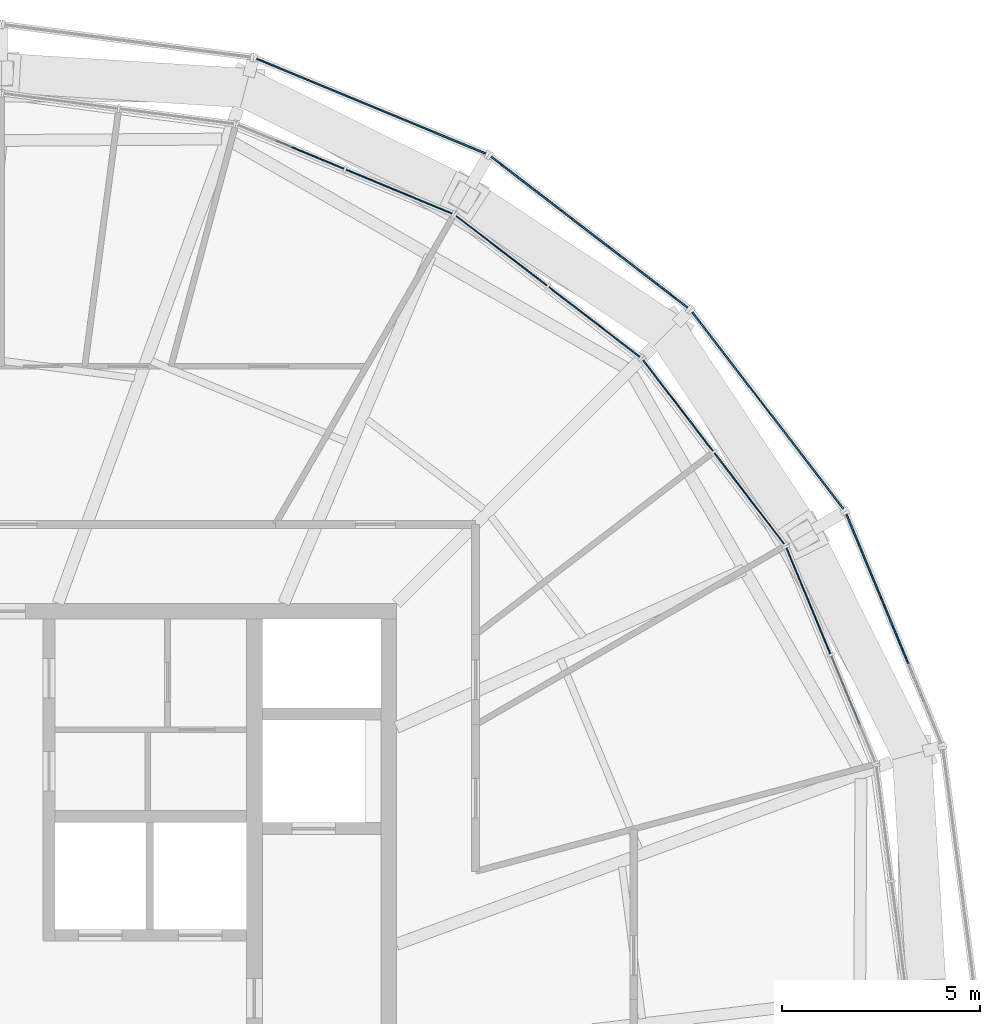
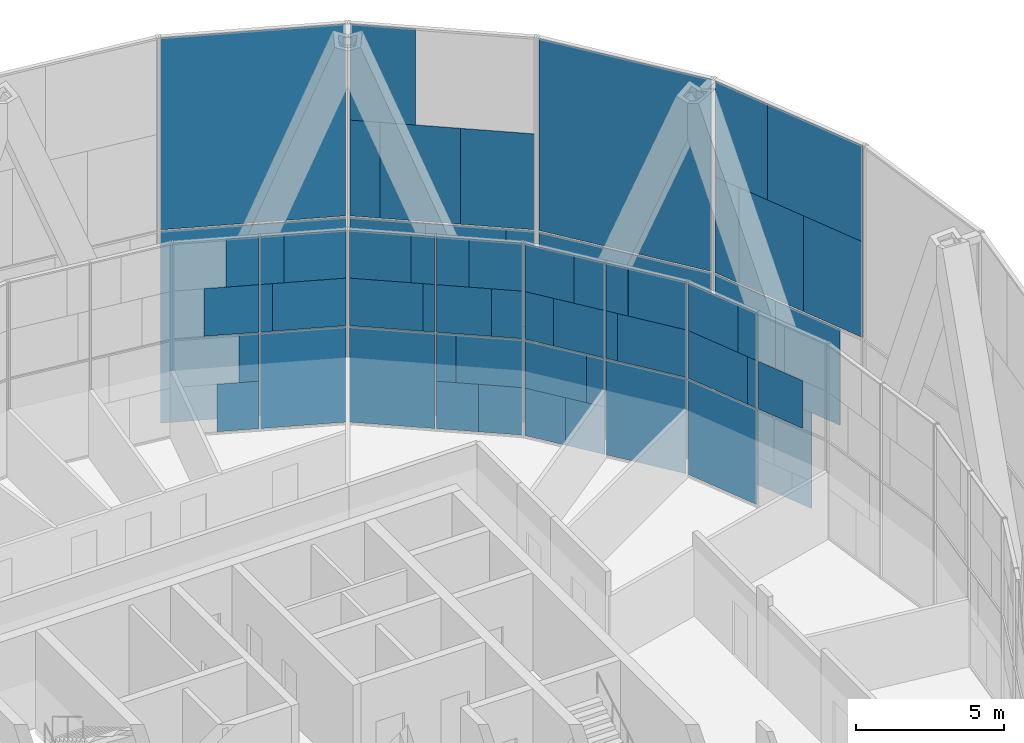
# One storey, part 18 of 23: 62 plates, 8 elements without a shape of their own.
"""IFC4 building model written with IfcOpenShell, lengths in metres."""

from ifc_helpers import new_model, si_unit, direction, frame, origin, origin_2d, place, context, subcontext, project, spatial, rectangle, extrude, material, layer, layer_set, type_object, element, aggregate, save


model = new_model("IFC4")

# Units and contexts
model_context = context("Model", 3, precision=1e-05, world=origin(), true_north=direction((0.0, 1.0)))
body_context = subcontext(model_context, "Body", "Model", "MODEL_VIEW")
ifc_project = project(units=[si_unit("LENGTHUNIT", "METRE"), si_unit("AREAUNIT", "SQUARE_METRE"), si_unit("VOLUMEUNIT", "CUBIC_METRE"), si_unit("PLANEANGLEUNIT", "RADIAN"), si_unit("MASSUNIT", "GRAM", prefix="KILO")], contexts=[model_context])

# Site, building, storey
site_placement = place(None, origin())
site = spatial("IfcSite", under=ifc_project, at=site_placement, CompositionType="ELEMENT")
building_placement = place(site_placement, origin())
building = spatial("IfcBuilding", under=site, at=building_placement, Name="Golbaran Civic Tower", CompositionType="ELEMENT")
storey_placement = place(building_placement, frame((0.0, 0.0, 232.0)))
storey = spatial("IfcBuildingStorey", under=building, at=storey_placement, Name="L56", CompositionType="ELEMENT", Elevation=232.0)

# Curtain wall, plates
ifc_material_1 = material(Name="Aluminium and glass", Category="aluminium")
curtain_wall_type_1 = type_object("IfcCurtainWallType", Name="INNER SKIN CURTAIN WALL EXECUTIVE", PredefinedType="NOTDEFINED", material=ifc_material_1)
curtain_wall_1_placement = place(storey_placement, origin())
curtain_wall_1 = element("IfcCurtainWall", 1, at=curtain_wall_1_placement, inside=storey, type_object=curtain_wall_type_1, Name="Inner skin L56 facet 2 CW2", ObjectType="INNER SKIN", PredefinedType="USERDEFINED")
ifc_material_2 = material(Name="Clear insulating glass", Category="glass")
ifc_layer_1 = layer(ifc_material_2, 0.031982421875, Name="Clear insulating glass")
ifc_layer_set_1 = layer_set([ifc_layer_1], Name="Clear insulating glass")
plate_type_1 = type_object("IfcPlateType", Name="INNER SKIN CURTAIN WALL EXECUTIVE GLAZED PANEL", PredefinedType="CURTAIN_PANEL", material=ifc_layer_set_1)
plate_1_placement = place(storey_placement, frame((20.421142578125, 10.06103515625, 0.06005859375), z_axis=(0.0, 0.0, 1.0), x_axis=(-0.382683432365, 0.923879532511, 0.0)))
plate_1 = element("IfcPlate", 2, at=plate_1_placement, type_object=plate_type_1, Name="CW2 panel 2.1", PredefinedType="CURTAIN_PANEL", context=body_context, shape_type="SweptSolid", body=[
    extrude(rectangle(XDim=2.900634765625, YDim=0.031982421875, at=origin_2d()), origin(), (0.0, 0.0, 1.0), 3.909912109375),
])
plate_2_placement = place(storey_placement, frame((20.3447265625, 10.245849609375, 4.030029296875), z_axis=(0.0, 0.0, 1.0), x_axis=(-0.382683432365, 0.923879532511, 0.0)))
plate_2 = element("IfcPlate", 3, at=plate_2_placement, type_object=plate_type_1, Name="CW2 panel 2.2 part 2", PredefinedType="CURTAIN_PANEL", context=body_context, shape_type="SweptSolid", body=[
    extrude(rectangle(XDim=2.500732421875, YDim=0.031982421875, at=origin_2d()), origin(), (0.0, 0.0, 1.0), 1.955078125),
])
plate_3_placement = place(storey_placement, frame((20.267822265625, 10.431640625, 5.98486328125), z_axis=(0.0, 0.0, 1.0), x_axis=(-0.382683432365, 0.923879532511, 0.0)))
plate_3 = element("IfcPlate", 4, at=plate_3_placement, type_object=plate_type_1, Name="CW2 panel 2.2 part 4", PredefinedType="CURTAIN_PANEL", context=body_context, shape_type="SweptSolid", body=[
    extrude(rectangle(XDim=2.0986328125, YDim=0.031982421875, at=origin_2d()), origin(), (0.0, 0.0, 1.0), 1.955078125),
])

curtain_wall_2_placement = place(storey_placement, origin())
curtain_wall_2 = element("IfcCurtainWall", 5, at=curtain_wall_2_placement, inside=storey, type_object=curtain_wall_type_1, Name="Inner skin L56 facet 3 CW2", ObjectType="INNER SKIN", PredefinedType="USERDEFINED")
plate_4_placement = place(storey_placement, frame((18.923828125, 12.65478515625, 0.06005859375), z_axis=(0.0, 0.0, 1.0), x_axis=(-0.608761429078, 0.793353340238, 0.0)))
plate_4 = element("IfcPlate", 6, at=plate_4_placement, type_object=plate_type_1, Name="CW2 panel 1.1", PredefinedType="CURTAIN_PANEL", context=body_context, shape_type="SweptSolid", body=[
    extrude(rectangle(XDim=2.900634765625, YDim=0.031982421875, at=origin_2d()), origin(), (0.0, 0.0, 1.0), 3.909912109375),
])
plate_5_placement = place(storey_placement, frame((19.046142578125, 12.495361328125, 4.030029296875), z_axis=(0.0, 0.0, 1.0), x_axis=(-0.608761429078, 0.793353340238, 0.0)))
plate_5 = element("IfcPlate", 7, at=plate_5_placement, type_object=plate_type_1, Name="CW2 panel 1.2 part 1", PredefinedType="CURTAIN_PANEL", context=body_context, shape_type="SweptSolid", body=[
    extrude(rectangle(XDim=2.4990234375, YDim=0.031982421875, at=origin_2d()), origin(), (0.0, 0.0, 1.0), 1.955078125),
])
plate_6_placement = place(storey_placement, frame((19.168212890625, 12.33642578125, 5.98486328125), z_axis=(0.0, 0.0, 1.0), x_axis=(-0.608761429078, 0.793353340238, 0.0)))
plate_6 = element("IfcPlate", 8, at=plate_6_placement, type_object=plate_type_1, Name="CW2 panel 1.2 part 3", PredefinedType="CURTAIN_PANEL", context=body_context, shape_type="SweptSolid", body=[
    extrude(rectangle(XDim=2.097900390625, YDim=0.031982421875, at=origin_2d()), origin(), (0.0, 0.0, 1.0), 1.955078125),
])
plate_7_placement = place(storey_placement, frame((17.5712890625, 14.41748046875, 0.06005859375), z_axis=(0.0, 0.0, 1.0), x_axis=(-0.608761429078, 0.793353340238, 0.0)))
plate_7 = element("IfcPlate", 9, at=plate_7_placement, type_object=plate_type_1, Name="CW2 panel 2.1 part 1", PredefinedType="CURTAIN_PANEL", context=body_context, shape_type="SweptSolid", body=[
    extrude(rectangle(XDim=1.423095703125, YDim=0.031982421875, at=origin_2d()), origin(), (0.0, 0.0, 1.0), 1.955078125),
])
plate_8_placement = place(storey_placement, frame((17.80078125, 14.118408203125, 2.014892578125), z_axis=(0.0, 0.0, 1.0), x_axis=(-0.608761429078, 0.793353340238, 0.0)))
plate_8 = element("IfcPlate", 10, at=plate_8_placement, type_object=plate_type_1, Name="CW2 panel 2.1 part 3", PredefinedType="CURTAIN_PANEL", context=body_context, shape_type="SweptSolid", body=[
    extrude(rectangle(XDim=0.6689453125, YDim=0.031982421875, at=origin_2d()), origin(), (0.0, 0.0, 1.0), 1.955078125),
])
plate_9_placement = place(storey_placement, frame((16.5537109375, 15.743408203125, 4.030029296875), z_axis=(0.0, 0.0, 1.0), x_axis=(-0.608761429078, 0.793353340238, 0.0)))
plate_9 = element("IfcPlate", 11, at=plate_9_placement, type_object=plate_type_1, Name="CW2 panel 2.2 part 2", PredefinedType="CURTAIN_PANEL", context=body_context, shape_type="SweptSolid", body=[
    extrude(rectangle(XDim=1.03564453125, YDim=0.031982421875, at=origin_2d()), origin(), (0.0, 0.0, 1.0), 1.955078125),
])
plate_10_placement = place(storey_placement, frame((16.783203125, 15.4443359375, 5.98486328125), z_axis=(0.0, 0.0, 1.0), x_axis=(-0.608761429078, 0.793353340238, 0.0)))
plate_10 = element("IfcPlate", 12, at=plate_10_placement, type_object=plate_type_1, Name="CW2 panel 2.2 part 4", PredefinedType="CURTAIN_PANEL", context=body_context, shape_type="SweptSolid", body=[
    extrude(rectangle(XDim=1.789794921875, YDim=0.031982421875, at=origin_2d()), origin(), (0.0, 0.0, 1.0), 1.955078125),
])

curtain_wall_3_placement = place(storey_placement, origin())
curtain_wall_3 = element("IfcCurtainWall", 13, at=curtain_wall_3_placement, inside=storey, type_object=curtain_wall_type_1, Name="Inner skin L56 facet 4 CW2", ObjectType="INNER SKIN", PredefinedType="USERDEFINED")
plate_11_placement = place(storey_placement, frame((14.41748046875, 17.5712890625, 0.06005859375), z_axis=(0.0, 0.0, 1.0), x_axis=(-0.793353340238, 0.608761429078, 0.0)))
plate_11 = element("IfcPlate", 14, at=plate_11_placement, type_object=plate_type_1, Name="CW2 panel 1.1 part 2", PredefinedType="CURTAIN_PANEL", context=body_context, shape_type="SweptSolid", body=[
    extrude(rectangle(XDim=1.4228515625, YDim=0.031982421875, at=origin_2d()), origin(), (0.0, 0.0, 1.0), 1.955078125),
])
plate_12_placement = place(storey_placement, frame((14.118408203125, 17.80078125, 2.014892578125), z_axis=(0.0, 0.0, 1.0), x_axis=(-0.793353340238, 0.608761429078, 0.0)))
plate_12 = element("IfcPlate", 15, at=plate_12_placement, type_object=plate_type_1, Name="CW2 panel 1.1 part 4", PredefinedType="CURTAIN_PANEL", context=body_context, shape_type="SweptSolid", body=[
    extrude(rectangle(XDim=0.668701171875, YDim=0.031982421875, at=origin_2d()), origin(), (0.0, 0.0, 1.0), 1.955078125),
])
plate_13_placement = place(storey_placement, frame((15.743896484375, 16.553466796875, 4.030029296875), z_axis=(0.0, 0.0, 1.0), x_axis=(-0.793353340238, 0.608761429078, 0.0)))
plate_13 = element("IfcPlate", 16, at=plate_13_placement, type_object=plate_type_1, Name="CW2 panel 1.2 part 1", PredefinedType="CURTAIN_PANEL", context=body_context, shape_type="SweptSolid", body=[
    extrude(rectangle(XDim=1.034912109375, YDim=0.031982421875, at=origin_2d()), origin(), (0.0, 0.0, 1.0), 1.955078125),
])
plate_14_placement = place(storey_placement, frame((15.444580078125, 16.782958984375, 5.98486328125), z_axis=(0.0, 0.0, 1.0), x_axis=(-0.793353340238, 0.608761429078, 0.0)))
plate_14 = element("IfcPlate", 17, at=plate_14_placement, type_object=plate_type_1, Name="CW2 panel 1.2 part 3", PredefinedType="CURTAIN_PANEL", context=body_context, shape_type="SweptSolid", body=[
    extrude(rectangle(XDim=1.7890625, YDim=0.031982421875, at=origin_2d()), origin(), (0.0, 0.0, 1.0), 1.955078125),
])
plate_15_placement = place(storey_placement, frame((12.65478515625, 18.923828125, 0.06005859375), z_axis=(0.0, 0.0, 1.0), x_axis=(-0.793353340238, 0.608761429078, 0.0)))
plate_15 = element("IfcPlate", 18, at=plate_15_placement, type_object=plate_type_1, Name="CW2 panel 2.1", PredefinedType="CURTAIN_PANEL", context=body_context, shape_type="SweptSolid", body=[
    extrude(rectangle(XDim=2.900634765625, YDim=0.031982421875, at=origin_2d()), origin(), (0.0, 0.0, 1.0), 3.909912109375),
])
plate_16_placement = place(storey_placement, frame((12.49609375, 19.045654296875, 4.030029296875), z_axis=(0.0, 0.0, 1.0), x_axis=(-0.793353340238, 0.608761429078, 0.0)))
plate_16 = element("IfcPlate", 19, at=plate_16_placement, type_object=plate_type_1, Name="CW2 panel 2.2 part 2", PredefinedType="CURTAIN_PANEL", context=body_context, shape_type="SweptSolid", body=[
    extrude(rectangle(XDim=2.500732421875, YDim=0.031982421875, at=origin_2d()), origin(), (0.0, 0.0, 1.0), 1.955078125),
])
plate_17_placement = place(storey_placement, frame((12.336669921875, 19.16796875, 5.98486328125), z_axis=(0.0, 0.0, 1.0), x_axis=(-0.793353340238, 0.608761429078, 0.0)))
plate_17 = element("IfcPlate", 20, at=plate_17_placement, type_object=plate_type_1, Name="CW2 panel 2.2 part 4", PredefinedType="CURTAIN_PANEL", context=body_context, shape_type="SweptSolid", body=[
    extrude(rectangle(XDim=2.0986328125, YDim=0.031982421875, at=origin_2d()), origin(), (0.0, 0.0, 1.0), 1.955078125),
])

curtain_wall_4_placement = place(storey_placement, origin())
curtain_wall_4 = element("IfcCurtainWall", 21, at=curtain_wall_4_placement, inside=storey, type_object=curtain_wall_type_1, Name="Inner skin L56 facet 5 CW2", ObjectType="INNER SKIN", PredefinedType="USERDEFINED")
plate_18_placement = place(storey_placement, frame((10.06103515625, 20.421142578125, 0.06005859375), z_axis=(0.0, 0.0, 1.0), x_axis=(-0.923879532511, 0.382683432365, 0.0)))
plate_18 = element("IfcPlate", 22, at=plate_18_placement, type_object=plate_type_1, Name="CW2 panel 1.1", PredefinedType="CURTAIN_PANEL", context=body_context, shape_type="SweptSolid", body=[
    extrude(rectangle(XDim=2.900634765625, YDim=0.031982421875, at=origin_2d()), origin(), (0.0, 0.0, 1.0), 3.909912109375),
])
plate_19_placement = place(storey_placement, frame((10.24658203125, 20.344482421875, 4.030029296875), z_axis=(0.0, 0.0, 1.0), x_axis=(-0.923879532511, 0.382683432365, 0.0)))
plate_19 = element("IfcPlate", 23, at=plate_19_placement, type_object=plate_type_1, Name="CW2 panel 1.2 part 1", PredefinedType="CURTAIN_PANEL", context=body_context, shape_type="SweptSolid", body=[
    extrude(rectangle(XDim=2.4990234375, YDim=0.031982421875, at=origin_2d()), origin(), (0.0, 0.0, 1.0), 1.955078125),
])
plate_20_placement = place(storey_placement, frame((10.431884765625, 20.267578125, 5.98486328125), z_axis=(0.0, 0.0, 1.0), x_axis=(-0.923879532511, 0.382683432365, 0.0)))
plate_20 = element("IfcPlate", 24, at=plate_20_placement, type_object=plate_type_1, Name="CW2 panel 1.2 part 3", PredefinedType="CURTAIN_PANEL", context=body_context, shape_type="SweptSolid", body=[
    extrude(rectangle(XDim=2.097900390625, YDim=0.031982421875, at=origin_2d()), origin(), (0.0, 0.0, 1.0), 1.955078125),
])
plate_21_placement = place(storey_placement, frame((8.00830078125, 21.271484375, 0.06005859375), z_axis=(0.0, 0.0, 1.0), x_axis=(-0.923879532511, 0.382683432365, 0.0)))
plate_21 = element("IfcPlate", 25, at=plate_21_placement, type_object=plate_type_1, Name="CW2 panel 2.1 part 1", PredefinedType="CURTAIN_PANEL", context=body_context, shape_type="SweptSolid", body=[
    extrude(rectangle(XDim=1.423095703125, YDim=0.031982421875, at=origin_2d()), origin(), (0.0, 0.0, 1.0), 1.955078125),
])
plate_22_placement = place(storey_placement, frame((8.356689453125, 21.127197265625, 2.014892578125), z_axis=(0.0, 0.0, 1.0), x_axis=(-0.923879532511, 0.382683432365, 0.0)))
plate_22 = element("IfcPlate", 26, at=plate_22_placement, type_object=plate_type_1, Name="CW2 panel 2.1 part 3", PredefinedType="CURTAIN_PANEL", context=body_context, shape_type="SweptSolid", body=[
    extrude(rectangle(XDim=0.6689453125, YDim=0.031982421875, at=origin_2d()), origin(), (0.0, 0.0, 1.0), 1.955078125),
])

# Plate
ifc_material_3 = material(Name="Aluminium faced opaque infill panel", Category="aluminium")
ifc_layer_2 = layer(ifc_material_3, 0.031982421875, Name="Aluminium faced opaque infill panel")
ifc_layer_set_2 = layer_set([ifc_layer_2], Name="Aluminium faced opaque infill panel")
plate_type_2 = type_object("IfcPlateType", Name="INNER SKIN CURTAIN WALL EXECUTIVE OPAQUE INFILL PANEL", PredefinedType="CURTAIN_PANEL", material=ifc_layer_set_2)
plate_23_placement = place(storey_placement, frame((21.356201171875, 7.8037109375, 4.030029296875), z_axis=(0.0, 0.0, 1.0), x_axis=(-0.382683432365, 0.923879532511, 0.0)))
plate_23 = element("IfcPlate", 27, at=plate_23_placement, type_object=plate_type_2, Name="CW2 infill panel 1.2 part 2", PredefinedType="CURTAIN_PANEL", context=body_context, shape_type="SweptSolid", body=[
    extrude(rectangle(XDim=1.86572265625, YDim=0.031982421875, at=origin_2d()), origin(), (0.0, 0.0, 1.0), 1.955078125),
])

plate_24_placement = place(storey_placement, frame((20.899658203125, 8.906005859375, 4.030029296875), z_axis=(0.0, 0.0, 1.0), x_axis=(-0.382683432365, 0.923879532511, 0.0)))
plate_24 = element("IfcPlate", 28, at=plate_24_placement, type_object=plate_type_2, Name="CW2 infill panel 2.2 part 1", PredefinedType="CURTAIN_PANEL", context=body_context, shape_type="SweptSolid", body=[
    extrude(rectangle(XDim=0.39990234375, YDim=0.031982421875, at=origin_2d()), origin(), (0.0, 0.0, 1.0), 1.955078125),
])

plate_25_placement = place(storey_placement, frame((20.82275390625, 9.091552734375, 5.98486328125), z_axis=(0.0, 0.0, 1.0), x_axis=(-0.382683432365, 0.923879532511, 0.0)))
plate_25 = element("IfcPlate", 29, at=plate_25_placement, type_object=plate_type_2, Name="CW2 infill panel 2.2 part 3", PredefinedType="CURTAIN_PANEL", context=body_context, shape_type="SweptSolid", body=[
    extrude(rectangle(XDim=0.802001953125, YDim=0.031982421875, at=origin_2d()), origin(), (0.0, 0.0, 1.0), 1.955078125),
])

aggregate(curtain_wall_1, [plate_23, plate_1, plate_24, plate_2, plate_25, plate_3])

plate_26_placement = place(storey_placement, frame((18.1630859375, 13.64599609375, 4.030029296875), z_axis=(0.0, 0.0, 1.0), x_axis=(-0.608761429078, 0.793353340238, 0.0)))
plate_26 = element("IfcPlate", 30, at=plate_26_placement, type_object=plate_type_2, Name="CW2 infill panel 1.2 part 2", PredefinedType="CURTAIN_PANEL", context=body_context, shape_type="SweptSolid", body=[
    extrude(rectangle(XDim=0.40185546875, YDim=0.031982421875, at=origin_2d()), origin(), (0.0, 0.0, 1.0), 1.955078125),
])

plate_27_placement = place(storey_placement, frame((18.28515625, 13.487060546875, 5.98486328125), z_axis=(0.0, 0.0, 1.0), x_axis=(-0.608761429078, 0.793353340238, 0.0)))
plate_27 = element("IfcPlate", 31, at=plate_27_placement, type_object=plate_type_2, Name="CW2 infill panel 1.2 part 4", PredefinedType="CURTAIN_PANEL", context=body_context, shape_type="SweptSolid", body=[
    extrude(rectangle(XDim=0.802734375, YDim=0.031982421875, at=origin_2d()), origin(), (0.0, 0.0, 1.0), 1.955078125),
])

plate_28_placement = place(storey_placement, frame((16.688232421875, 15.568115234375, 0.06005859375), z_axis=(0.0, 0.0, 1.0), x_axis=(-0.608761429078, 0.793353340238, 0.0)))
plate_28 = element("IfcPlate", 32, at=plate_28_placement, type_object=plate_type_2, Name="CW2 infill panel 2.1 part 2", PredefinedType="CURTAIN_PANEL", context=body_context, shape_type="SweptSolid", body=[
    extrude(rectangle(XDim=1.477783203125, YDim=0.031982421875, at=origin_2d()), origin(), (0.0, 0.0, 1.0), 1.955078125),
])

plate_29_placement = place(storey_placement, frame((16.917724609375, 15.26904296875, 2.014892578125), z_axis=(0.0, 0.0, 1.0), x_axis=(-0.608761429078, 0.793353340238, 0.0)))
plate_29 = element("IfcPlate", 33, at=plate_29_placement, type_object=plate_type_2, Name="CW2 infill panel 2.1 part 4", PredefinedType="CURTAIN_PANEL", context=body_context, shape_type="SweptSolid", body=[
    extrude(rectangle(XDim=2.231689453125, YDim=0.031982421875, at=origin_2d()), origin(), (0.0, 0.0, 1.0), 1.955078125),
])

plate_30_placement = place(storey_placement, frame((17.436767578125, 14.5927734375, 4.030029296875), z_axis=(0.0, 0.0, 1.0), x_axis=(-0.608761429078, 0.793353340238, 0.0)))
plate_30 = element("IfcPlate", 34, at=plate_30_placement, type_object=plate_type_2, Name="CW2 infill panel 2.2 part 1", PredefinedType="CURTAIN_PANEL", context=body_context, shape_type="SweptSolid", body=[
    extrude(rectangle(XDim=1.864990234375, YDim=0.031982421875, at=origin_2d()), origin(), (0.0, 0.0, 1.0), 1.955078125),
])

plate_31_placement = place(storey_placement, frame((17.666259765625, 14.293701171875, 5.98486328125), z_axis=(0.0, 0.0, 1.0), x_axis=(-0.608761429078, 0.793353340238, 0.0)))
plate_31 = element("IfcPlate", 35, at=plate_31_placement, type_object=plate_type_2, Name="CW2 infill panel 2.2 part 3", PredefinedType="CURTAIN_PANEL", context=body_context, shape_type="SweptSolid", body=[
    extrude(rectangle(XDim=1.111083984375, YDim=0.031982421875, at=origin_2d()), origin(), (0.0, 0.0, 1.0), 1.955078125),
])

aggregate(curtain_wall_2, [plate_4, plate_5, plate_26, plate_6, plate_27, plate_7, plate_28, plate_8, plate_29, plate_30, plate_9, plate_31, plate_10])

plate_32_placement = place(storey_placement, frame((15.568115234375, 16.688232421875, 0.06005859375), z_axis=(0.0, 0.0, 1.0), x_axis=(-0.793353340238, 0.608761429078, 0.0)))
plate_32 = element("IfcPlate", 36, at=plate_32_placement, type_object=plate_type_2, Name="CW2 infill panel 1.1 part 1", PredefinedType="CURTAIN_PANEL", context=body_context, shape_type="SweptSolid", body=[
    extrude(rectangle(XDim=1.47802734375, YDim=0.031982421875, at=origin_2d()), origin(), (0.0, 0.0, 1.0), 1.955078125),
])

plate_33_placement = place(storey_placement, frame((15.26904296875, 16.917724609375, 2.014892578125), z_axis=(0.0, 0.0, 1.0), x_axis=(-0.793353340238, 0.608761429078, 0.0)))
plate_33 = element("IfcPlate", 37, at=plate_33_placement, type_object=plate_type_2, Name="CW2 infill panel 1.1 part 3", PredefinedType="CURTAIN_PANEL", context=body_context, shape_type="SweptSolid", body=[
    extrude(rectangle(XDim=2.23193359375, YDim=0.031982421875, at=origin_2d()), origin(), (0.0, 0.0, 1.0), 1.955078125),
])

plate_34_placement = place(storey_placement, frame((14.593017578125, 17.4365234375, 4.030029296875), z_axis=(0.0, 0.0, 1.0), x_axis=(-0.793353340238, 0.608761429078, 0.0)))
plate_34 = element("IfcPlate", 38, at=plate_34_placement, type_object=plate_type_2, Name="CW2 infill panel 1.2 part 2", PredefinedType="CURTAIN_PANEL", context=body_context, shape_type="SweptSolid", body=[
    extrude(rectangle(XDim=1.86572265625, YDim=0.031982421875, at=origin_2d()), origin(), (0.0, 0.0, 1.0), 1.955078125),
])

plate_35_placement = place(storey_placement, frame((14.2939453125, 17.666015625, 5.98486328125), z_axis=(0.0, 0.0, 1.0), x_axis=(-0.793353340238, 0.608761429078, 0.0)))
plate_35 = element("IfcPlate", 39, at=plate_35_placement, type_object=plate_type_2, Name="CW2 infill panel 1.2 part 4", PredefinedType="CURTAIN_PANEL", context=body_context, shape_type="SweptSolid", body=[
    extrude(rectangle(XDim=1.11181640625, YDim=0.031982421875, at=origin_2d()), origin(), (0.0, 0.0, 1.0), 1.955078125),
])

plate_36_placement = place(storey_placement, frame((13.646728515625, 18.16259765625, 4.030029296875), z_axis=(0.0, 0.0, 1.0), x_axis=(-0.793353340238, 0.608761429078, 0.0)))
plate_36 = element("IfcPlate", 40, at=plate_36_placement, type_object=plate_type_2, Name="CW2 infill panel 2.2 part 1", PredefinedType="CURTAIN_PANEL", context=body_context, shape_type="SweptSolid", body=[
    extrude(rectangle(XDim=0.39990234375, YDim=0.031982421875, at=origin_2d()), origin(), (0.0, 0.0, 1.0), 1.955078125),
])

plate_37_placement = place(storey_placement, frame((13.4873046875, 18.284912109375, 5.98486328125), z_axis=(0.0, 0.0, 1.0), x_axis=(-0.793353340238, 0.608761429078, 0.0)))
plate_37 = element("IfcPlate", 41, at=plate_37_placement, type_object=plate_type_2, Name="CW2 infill panel 2.2 part 3", PredefinedType="CURTAIN_PANEL", context=body_context, shape_type="SweptSolid", body=[
    extrude(rectangle(XDim=0.802001953125, YDim=0.031982421875, at=origin_2d()), origin(), (0.0, 0.0, 1.0), 1.955078125),
])

aggregate(curtain_wall_3, [plate_32, plate_11, plate_33, plate_12, plate_13, plate_34, plate_14, plate_35, plate_15, plate_36, plate_16, plate_37, plate_17])

plate_38_placement = place(storey_placement, frame((8.90673828125, 20.8994140625, 4.030029296875), z_axis=(0.0, 0.0, 1.0), x_axis=(-0.923879532511, 0.382683432365, 0.0)))
plate_38 = element("IfcPlate", 42, at=plate_38_placement, type_object=plate_type_2, Name="CW2 infill panel 1.2 part 2", PredefinedType="CURTAIN_PANEL", context=body_context, shape_type="SweptSolid", body=[
    extrude(rectangle(XDim=0.40185546875, YDim=0.031982421875, at=origin_2d()), origin(), (0.0, 0.0, 1.0), 1.955078125),
])

plate_39_placement = place(storey_placement, frame((9.092041015625, 20.82275390625, 5.98486328125), z_axis=(0.0, 0.0, 1.0), x_axis=(-0.923879532511, 0.382683432365, 0.0)))
plate_39 = element("IfcPlate", 43, at=plate_39_placement, type_object=plate_type_2, Name="CW2 infill panel 1.2 part 4", PredefinedType="CURTAIN_PANEL", context=body_context, shape_type="SweptSolid", body=[
    extrude(rectangle(XDim=0.802734375, YDim=0.031982421875, at=origin_2d()), origin(), (0.0, 0.0, 1.0), 1.955078125),
])

plate_40_placement = place(storey_placement, frame((7.80419921875, 21.356201171875, 4.030029296875), z_axis=(0.0, 0.0, 1.0), x_axis=(-0.923879532511, 0.382683432365, 0.0)))
plate_40 = element("IfcPlate", 44, at=plate_40_placement, type_object=plate_type_2, Name="CW2 infill panel 2.2 part 1", PredefinedType="CURTAIN_PANEL", context=body_context, shape_type="SweptSolid", body=[
    extrude(rectangle(XDim=1.864990234375, YDim=0.031982421875, at=origin_2d()), origin(), (0.0, 0.0, 1.0), 1.955078125),
])

plate_41_placement = place(storey_placement, frame((8.152587890625, 21.2119140625, 5.98486328125), z_axis=(0.0, 0.0, 1.0), x_axis=(-0.923879532511, 0.382683432365, 0.0)))
plate_41 = element("IfcPlate", 45, at=plate_41_placement, type_object=plate_type_2, Name="CW2 infill panel 2.2 part 3", PredefinedType="CURTAIN_PANEL", context=body_context, shape_type="SweptSolid", body=[
    extrude(rectangle(XDim=1.111083984375, YDim=0.031982421875, at=origin_2d()), origin(), (0.0, 0.0, 1.0), 1.955078125),
])

aggregate(curtain_wall_4, [plate_18, plate_19, plate_38, plate_20, plate_39, plate_21, plate_22, plate_40, plate_41])

# Curtain wall, plates
curtain_wall_type_2 = type_object("IfcCurtainWallType", Name="OUTER SKIN TERRACOTTA SCREEN", PredefinedType="NOTDEFINED", material=ifc_material_1)
curtain_wall_5_placement = place(storey_placement, origin())
curtain_wall_5 = element("IfcCurtainWall", 46, at=curtain_wall_5_placement, inside=storey, type_object=curtain_wall_type_2, Name="Outer skin L56 facet 2 CW3", ObjectType="OUTER SKIN", PredefinedType="USERDEFINED")
ifc_material_4 = material(Name="Clear laminated glass", Category="glass")
ifc_layer_3 = layer(ifc_material_4, 0.0400390625, Name="Clear laminated glass")
ifc_layer_set_3 = layer_set([ifc_layer_3], Name="Clear laminated glass")
plate_type_3 = type_object("IfcPlateType", Name="OUTER SKIN CLEAR GLASS PANEL", PredefinedType="CURTAIN_PANEL", material=ifc_layer_set_3)
plate_42_placement = place(storey_placement, frame((22.165283203125, 10.36376953125, -0.6298828125), z_axis=(0.0, 0.0, 1.0), x_axis=(-0.382683432381, 0.923879532505, 0.0)))
plate_42 = element("IfcPlate", 47, at=plate_42_placement, type_object=plate_type_3, Name="CW3 panel 1.1 part 2", PredefinedType="CURTAIN_PANEL", context=body_context, shape_type="SweptSolid", body=[
    extrude(rectangle(XDim=4.09130859375, YDim=0.0400390625, at=origin_2d()), origin(), (0.0, 0.0, 1.0), 3.93994140625),
])
plate_43_placement = place(storey_placement, frame((21.874755859375, 11.0654296875, 3.31005859375), z_axis=(0.0, 0.0, 1.0), x_axis=(-0.382683432381, 0.923879532505, 0.0)))
plate_43 = element("IfcPlate", 48, at=plate_43_placement, type_object=plate_type_3, Name="CW3 panel 1.1 part 5", PredefinedType="CURTAIN_PANEL", context=body_context, shape_type="SweptSolid", body=[
    extrude(rectangle(XDim=2.572265625, YDim=0.0400390625, at=origin_2d()), origin(), (0.0, 0.0, 1.0), 3.93994140625),
])
plate_44_placement = place(storey_placement, frame((23.302978515625, 7.616943359375, 7.330078125), z_axis=(0.0, 0.0, 1.0), x_axis=(-0.382683432381, 0.923879532505, 0.0)))
plate_44 = element("IfcPlate", 49, at=plate_44_placement, type_object=plate_type_3, Name="CW3 panel 1.2 part 1", PredefinedType="CURTAIN_PANEL", context=body_context, shape_type="SweptSolid", body=[
    extrude(rectangle(XDim=2.514892578125, YDim=0.0400390625, at=origin_2d()), origin(), (0.0, 0.0, 1.0), 3.93994140625),
])
plate_45_placement = place(storey_placement, frame((21.577880859375, 11.78173828125, 7.330078125), z_axis=(0.0, 0.0, 1.0), x_axis=(-0.382683432381, 0.923879532505, 0.0)))
plate_45 = element("IfcPlate", 50, at=plate_45_placement, type_object=plate_type_3, Name="CW3 panel 1.2 part 3", PredefinedType="CURTAIN_PANEL", context=body_context, shape_type="SweptSolid", body=[
    extrude(rectangle(XDim=1.021240234375, YDim=0.0400390625, at=origin_2d()), origin(), (0.0, 0.0, 1.0), 3.93994140625),
])
plate_46_placement = place(storey_placement, frame((23.01123046875, 8.3212890625, 11.27001953125), z_axis=(0.0, 0.0, 1.0), x_axis=(-0.382683432381, 0.923879532505, 0.0)))
plate_46 = element("IfcPlate", 51, at=plate_46_placement, type_object=plate_type_3, Name="CW3 panel 1.2 part 4", PredefinedType="CURTAIN_PANEL", context=body_context, shape_type="SweptSolid", body=[
    extrude(rectangle(XDim=4.0400390625, YDim=0.0400390625, at=origin_2d()), origin(), (0.0, 0.0, 1.0), 3.93994140625),
])

curtain_wall_6_placement = place(storey_placement, origin())
curtain_wall_6 = element("IfcCurtainWall", 52, at=curtain_wall_6_placement, inside=storey, type_object=curtain_wall_type_2, Name="Outer skin L56 facet 4 CW3", ObjectType="OUTER SKIN", PredefinedType="USERDEFINED")
plate_47_placement = place(storey_placement, frame((14.013916015625, 20.057861328125, -0.6298828125), z_axis=(0.0, 0.0, 1.0), x_axis=(-0.793353340291, 0.608761429009, 0.0)))
plate_47 = element("IfcPlate", 53, at=plate_47_placement, type_object=plate_type_3, Name="CW3 panel 1.1 part 2", PredefinedType="CURTAIN_PANEL", context=body_context, shape_type="SweptSolid", body=[
    extrude(rectangle(XDim=4.09130859375, YDim=0.0400390625, at=origin_2d()), origin(), (0.0, 0.0, 1.0), 3.93994140625),
])
plate_48_placement = place(storey_placement, frame((16.987548828125, 17.776123046875, 3.31005859375), z_axis=(0.0, 0.0, 1.0), x_axis=(-0.793353340291, 0.608761429009, 0.0)))
plate_48 = element("IfcPlate", 54, at=plate_48_placement, type_object=plate_type_3, Name="CW3 panel 1.1 part 3", PredefinedType="CURTAIN_PANEL", context=body_context, shape_type="SweptSolid", body=[
    extrude(rectangle(XDim=0.965087890625, YDim=0.0400390625, at=origin_2d()), origin(), (0.0, 0.0, 1.0), 3.93994140625),
])
plate_49_placement = place(storey_placement, frame((13.411376953125, 20.520263671875, 3.31005859375), z_axis=(0.0, 0.0, 1.0), x_axis=(-0.793353340291, 0.608761429009, 0.0)))
plate_49 = element("IfcPlate", 55, at=plate_49_placement, type_object=plate_type_3, Name="CW3 panel 1.1 part 5", PredefinedType="CURTAIN_PANEL", context=body_context, shape_type="SweptSolid", body=[
    extrude(rectangle(XDim=2.572265625, YDim=0.0400390625, at=origin_2d()), origin(), (0.0, 0.0, 1.0), 3.93994140625),
])
plate_50_placement = place(storey_placement, frame((16.37255859375, 18.248046875, 7.330078125), z_axis=(0.0, 0.0, 1.0), x_axis=(-0.793353340291, 0.608761429009, 0.0)))
plate_50 = element("IfcPlate", 56, at=plate_50_placement, type_object=plate_type_3, Name="CW3 panel 1.2 part 1", PredefinedType="CURTAIN_PANEL", context=body_context, shape_type="SweptSolid", body=[
    extrude(rectangle(XDim=2.514892578125, YDim=0.0400390625, at=origin_2d()), origin(), (0.0, 0.0, 1.0), 3.93994140625),
])
plate_51_placement = place(storey_placement, frame((12.796142578125, 20.9921875, 7.330078125), z_axis=(0.0, 0.0, 1.0), x_axis=(-0.793353340291, 0.608761429009, 0.0)))
plate_51 = element("IfcPlate", 57, at=plate_51_placement, type_object=plate_type_3, Name="CW3 panel 1.2 part 3", PredefinedType="CURTAIN_PANEL", context=body_context, shape_type="SweptSolid", body=[
    extrude(rectangle(XDim=1.021240234375, YDim=0.0400390625, at=origin_2d()), origin(), (0.0, 0.0, 1.0), 3.93994140625),
])

# Plate
ifc_material_5 = material(Name="Terracotta baguette screen", Category="masonry")
ifc_layer_4 = layer(ifc_material_5, 0.0400390625, Name="Terracotta baguette screen")
ifc_layer_set_4 = layer_set([ifc_layer_4], Name="Terracotta baguette screen")
plate_type_4 = type_object("IfcPlateType", Name="OUTER SKIN TERRACOTTA INFILL PANEL", PredefinedType="CURTAIN_PANEL", material=ifc_layer_set_4)
plate_52_placement = place(storey_placement, frame((22.890869140625, 8.61181640625, 3.31005859375), z_axis=(0.0, 0.0, 1.0), x_axis=(-0.382683432381, 0.923879532505, 0.0)))
plate_52 = element("IfcPlate", 58, at=plate_52_placement, type_object=plate_type_4, Name="CW3 infill panel 1.1 part 4", PredefinedType="CURTAIN_PANEL", context=body_context, shape_type="SweptSolid", body=[
    extrude(rectangle(XDim=2.739013671875, YDim=0.0400390625, at=origin_2d()), origin(), (0.0, 0.0, 1.0), 3.93994140625),
])

plate_53_placement = place(storey_placement, frame((22.297607421875, 10.04443359375, 7.330078125), z_axis=(0.0, 0.0, 1.0), x_axis=(-0.382683432381, 0.923879532505, 0.0)))
plate_53 = element("IfcPlate", 59, at=plate_53_placement, type_object=plate_type_4, Name="CW3 infill panel 1.2 part 2", PredefinedType="CURTAIN_PANEL", context=body_context, shape_type="SweptSolid", body=[
    extrude(rectangle(XDim=2.739990234375, YDim=0.0400390625, at=origin_2d()), origin(), (0.0, 0.0, 1.0), 3.93994140625),
])

plate_54_placement = place(storey_placement, frame((21.810302734375, 11.220458984375, 11.27001953125), z_axis=(0.0, 0.0, 1.0), x_axis=(-0.382683432381, 0.923879532505, 0.0)))
plate_54 = element("IfcPlate", 60, at=plate_54_placement, type_object=plate_type_4, Name="CW3 infill panel 1.2 part 5", PredefinedType="CURTAIN_PANEL", context=body_context, shape_type="SweptSolid", body=[
    extrude(rectangle(XDim=2.236328125, YDim=0.0400390625, at=origin_2d()), origin(), (0.0, 0.0, 1.0), 3.93994140625),
])

aggregate(curtain_wall_5, [plate_42, plate_52, plate_43, plate_44, plate_53, plate_45, plate_46, plate_54])

plate_55_placement = place(storey_placement, frame((16.50341796875, 18.1474609375, -0.6298828125), z_axis=(0.0, 0.0, 1.0), x_axis=(-0.793353340291, 0.608761429009, 0.0)))
plate_55 = element("IfcPlate", 61, at=plate_55_placement, type_object=plate_type_4, Name="CW3 infill panel 1.1 part 1", PredefinedType="CURTAIN_PANEL", context=body_context, shape_type="SweptSolid", body=[
    extrude(rectangle(XDim=2.18505859375, YDim=0.0400390625, at=origin_2d()), origin(), (0.0, 0.0, 1.0), 3.93994140625),
])

plate_56_placement = place(storey_placement, frame((15.51806640625, 18.903564453125, 3.31005859375), z_axis=(0.0, 0.0, 1.0), x_axis=(-0.793353340291, 0.608761429009, 0.0)))
plate_56 = element("IfcPlate", 62, at=plate_56_placement, type_object=plate_type_4, Name="CW3 infill panel 1.1 part 4", PredefinedType="CURTAIN_PANEL", context=body_context, shape_type="SweptSolid", body=[
    extrude(rectangle(XDim=2.739013671875, YDim=0.0400390625, at=origin_2d()), origin(), (0.0, 0.0, 1.0), 3.93994140625),
])

plate_57_placement = place(storey_placement, frame((14.2880859375, 19.847412109375, 7.330078125), z_axis=(0.0, 0.0, 1.0), x_axis=(-0.793353340291, 0.608761429009, 0.0)))
plate_57 = element("IfcPlate", 63, at=plate_57_placement, type_object=plate_type_4, Name="CW3 infill panel 1.2 part 2", PredefinedType="CURTAIN_PANEL", context=body_context, shape_type="SweptSolid", body=[
    extrude(rectangle(XDim=2.739990234375, YDim=0.0400390625, at=origin_2d()), origin(), (0.0, 0.0, 1.0), 3.93994140625),
])

plate_58_placement = place(storey_placement, frame((13.278076171875, 20.62255859375, 11.27001953125), z_axis=(0.0, 0.0, 1.0), x_axis=(-0.793353340291, 0.608761429009, 0.0)))
plate_58 = element("IfcPlate", 64, at=plate_58_placement, type_object=plate_type_4, Name="CW3 infill panel 1.2 part 5", PredefinedType="CURTAIN_PANEL", context=body_context, shape_type="SweptSolid", body=[
    extrude(rectangle(XDim=2.236328125, YDim=0.0400390625, at=origin_2d()), origin(), (0.0, 0.0, 1.0), 3.93994140625),
])

aggregate(curtain_wall_6, [plate_55, plate_47, plate_48, plate_56, plate_49, plate_50, plate_57, plate_51, plate_58])

# Curtain wall, plates
curtain_wall_7_placement = place(storey_placement, origin())
curtain_wall_7 = element("IfcCurtainWall", 65, at=curtain_wall_7_placement, inside=storey, type_object=curtain_wall_type_2, Name="Outer skin L56 facet 3 CW3", ObjectType="OUTER SKIN", PredefinedType="USERDEFINED")
ifc_layer_5 = layer(ifc_material_5, 0.0400390625, Name="Terracotta baguette screen")
ifc_layer_set_5 = layer_set([ifc_layer_5], Name="Terracotta baguette screen")
plate_type_5 = type_object("IfcPlateType", Name="OUTER SKIN TERRACOTTA SCREEN PANEL", PredefinedType="CURTAIN_PANEL", material=ifc_layer_set_5)
plate_59_placement = place(storey_placement, frame((19.392822265625, 14.880615234375, -0.6298828125), z_axis=(0.0, 0.0, 1.0), x_axis=(-0.608761429009, 0.793353340291, 0.0)))
plate_59 = element("IfcPlate", 66, at=plate_59_placement, type_object=plate_type_5, Name="CW3 terracotta screen panel 1.1", PredefinedType="CURTAIN_PANEL", context=body_context, shape_type="SweptSolid", body=[
    extrude(rectangle(XDim=6.2763671875, YDim=0.0400390625, at=origin_2d()), origin(), (0.0, 0.0, 1.0), 7.8798828125),
])
plate_60_placement = place(storey_placement, frame((19.392822265625, 14.880615234375, 7.330078125), z_axis=(0.0, 0.0, 1.0), x_axis=(-0.608761429009, 0.793353340291, 0.0)))
plate_60 = element("IfcPlate", 67, at=plate_60_placement, type_object=plate_type_5, Name="CW3 terracotta screen panel 1.2", PredefinedType="CURTAIN_PANEL", context=body_context, shape_type="SweptSolid", body=[
    extrude(rectangle(XDim=6.2763671875, YDim=0.0400390625, at=origin_2d()), origin(), (0.0, 0.0, 1.0), 7.8798828125),
])
aggregate(curtain_wall_7, [plate_59, plate_60])

curtain_wall_8_placement = place(storey_placement, origin())
curtain_wall_8 = element("IfcCurtainWall", 68, at=curtain_wall_8_placement, inside=storey, type_object=curtain_wall_type_2, Name="Outer skin L56 facet 5 CW3", ObjectType="OUTER SKIN", PredefinedType="USERDEFINED")
plate_61_placement = place(storey_placement, frame((9.354248046875, 22.58349609375, -0.6298828125), z_axis=(0.0, 0.0, 1.0), x_axis=(-0.923879532505, 0.382683432381, 0.0)))
plate_61 = element("IfcPlate", 69, at=plate_61_placement, type_object=plate_type_5, Name="CW3 terracotta screen panel 1.1", PredefinedType="CURTAIN_PANEL", context=body_context, shape_type="SweptSolid", body=[
    extrude(rectangle(XDim=6.2763671875, YDim=0.0400390625, at=origin_2d()), origin(), (0.0, 0.0, 1.0), 7.8798828125),
])
plate_62_placement = place(storey_placement, frame((9.354248046875, 22.58349609375, 7.330078125), z_axis=(0.0, 0.0, 1.0), x_axis=(-0.923879532505, 0.382683432381, 0.0)))
plate_62 = element("IfcPlate", 70, at=plate_62_placement, type_object=plate_type_5, Name="CW3 terracotta screen panel 1.2", PredefinedType="CURTAIN_PANEL", context=body_context, shape_type="SweptSolid", body=[
    extrude(rectangle(XDim=6.2763671875, YDim=0.0400390625, at=origin_2d()), origin(), (0.0, 0.0, 1.0), 7.8798828125),
])
aggregate(curtain_wall_8, [plate_61, plate_62])

save(model, "model.ifc")
